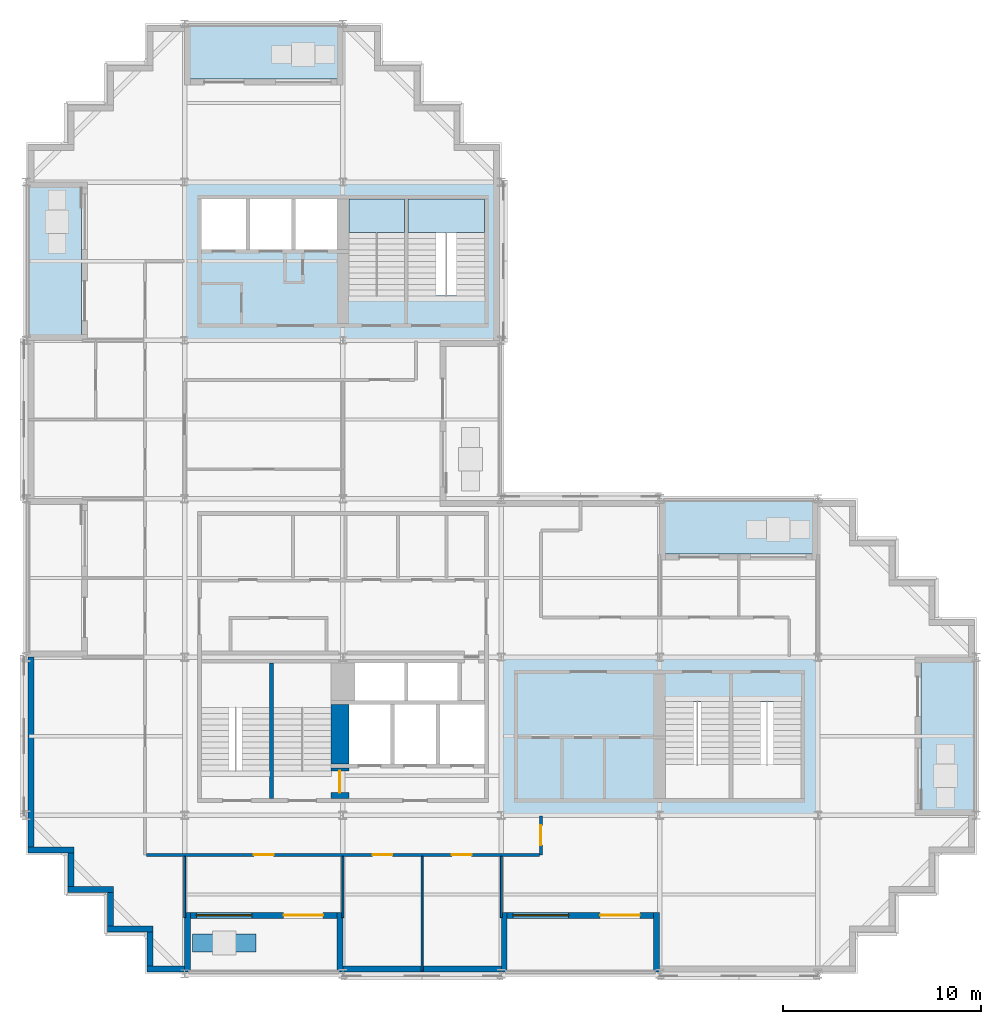
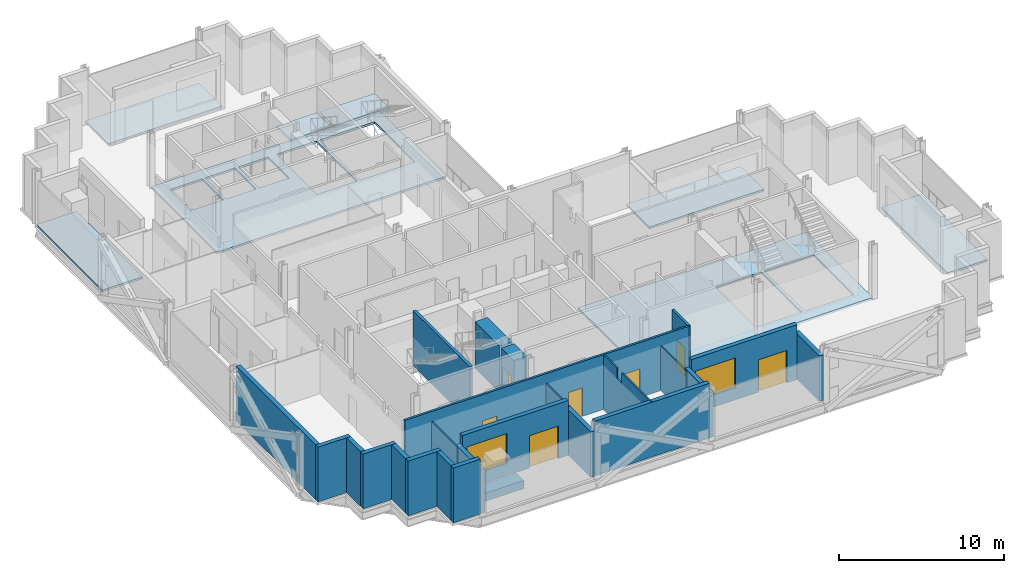
# One storey, part 4 of 12: 25 walls, 8 slabs, 7 doors, 2 windows, 9 openings, 2 elements without a shape of their own.
"""IFC4 building model written with IfcOpenShell, lengths in metres."""

from ifc_helpers import new_model, si_unit, direction, frame, frame_2d, origin, place, context, subcontext, project, spatial, polyline, rectangle, outline, extrude, material, layer, layer_set, type_object, element, fill, aggregate, save


model = new_model("IFC4")

# Units and contexts
model_context = context("Model", 3, precision=1e-05, world=origin(), true_north=direction((0.0, 1.0)))
body_context = subcontext(model_context, "Body", "Model", "MODEL_VIEW")
ifc_project = project(units=[si_unit("LENGTHUNIT", "METRE"), si_unit("AREAUNIT", "SQUARE_METRE"), si_unit("VOLUMEUNIT", "CUBIC_METRE"), si_unit("PLANEANGLEUNIT", "RADIAN"), si_unit("MASSUNIT", "GRAM", prefix="KILO")], contexts=[model_context])

# Site, building, storey
site_placement = place(None, origin())
site = spatial("IfcSite", under=ifc_project, at=site_placement, CompositionType="ELEMENT")
building_placement = place(site_placement, origin())
building = spatial("IfcBuilding", under=site, at=building_placement, Name="Immortelle Media Tower", CompositionType="ELEMENT")
storey_placement = place(building_placement, frame((0.0, 0.0, 145.199951171875)))
storey = spatial("IfcBuildingStorey", under=building, at=storey_placement, Name="L29", CompositionType="ELEMENT", Elevation=145.199951171875)

# Slabs
ifc_material_1 = material(Name="Concrete C50/60 composite deck", Category="concrete")
ifc_layer_1 = layer(ifc_material_1, 0.14990234375)
ifc_layer_set_1 = layer_set([ifc_layer_1], Name="Concrete C50/60 composite deck")
slab_type_1 = type_object("IfcSlabType", Name="Balcony slab 150", PredefinedType="FLOOR", material=ifc_layer_set_1)
slab_1_placement = place(storey_placement, frame((0.0, 0.0, -0.14990234375)))
element("IfcSlab", 1, at=slab_1_placement, inside=storey, type_object=slab_type_1, Name="Balcony slab L29 E0", PredefinedType="FLOOR", context=body_context, shape_type="SweptSolid", body=[
    extrude(outline(polyline([(48.0, 8.0), (48.0, 16.0), (45.199951171875, 16.0), (45.199951171875, 8.0), (48.0, 8.0)])), origin(), (0.0, 0.0, 1.0), 0.14990234375),
])
slab_2_placement = place(storey_placement, frame((0.0, 0.0, -0.14990234375)))
element("IfcSlab", 2, at=slab_2_placement, inside=storey, type_object=slab_type_1, Name="Balcony slab L29 N0", PredefinedType="FLOOR", context=body_context, shape_type="SweptSolid", body=[
    extrude(outline(polyline([(40.0, 21.199951171875), (40.0, 24.0), (32.0, 24.0), (32.0, 21.199951171875), (40.0, 21.199951171875)])), origin(), (0.0, 0.0, 1.0), 0.14990234375),
])
slab_3_placement = place(storey_placement, frame((0.0, 0.0, -0.14990234375)))
element("IfcSlab", 3, at=slab_3_placement, inside=storey, type_object=slab_type_1, Name="Balcony slab L29 N0", PredefinedType="FLOOR", context=body_context, shape_type="SweptSolid", body=[
    extrude(outline(polyline([(16.0, 45.199951171875), (16.0, 48.0), (8.0, 48.0), (8.0, 45.199951171875), (16.0, 45.199951171875)])), origin(), (0.0, 0.0, 1.0), 0.14990234375),
])
slab_4_placement = place(storey_placement, frame((0.0, 0.0, -0.14990234375)))
element("IfcSlab", 4, at=slab_4_placement, inside=storey, type_object=slab_type_1, Name="Balcony slab L29 W0", PredefinedType="FLOOR", context=body_context, shape_type="SweptSolid", body=[
    extrude(outline(polyline([(2.800048828125, 32.0), (2.800048828125, 40.0), (0.0, 40.0), (0.0, 32.0), (2.800048828125, 32.0)])), origin(), (0.0, 0.0, 1.0), 0.14990234375),
])
ifc_material_2 = material(Name="Concrete C50/60", Category="concrete")
ifc_layer_2 = layer(ifc_material_2, 0.14990234375)
ifc_layer_set_2 = layer_set([ifc_layer_2], Name="Concrete C50/60")
slab_type_2 = type_object("IfcSlabType", Name="Core floor slab 150", PredefinedType="FLOOR", material=ifc_layer_set_2)
slab_5_placement = place(storey_placement, frame((0.0, 0.0, -0.14990234375)))
element("IfcSlab", 5, at=slab_5_placement, inside=storey, type_object=slab_type_2, Name="Core floor SE", PredefinedType="FLOOR", context=body_context, shape_type="SweptSolid", body=[
    extrude(outline(polyline([(24.0, 8.0), (40.0, 8.0), (40.0, 16.0), (24.0, 16.0), (24.0, 8.0)]), holes=[polyline([(32.300048828125, 8.85009765625), (35.5, 8.85009765625), (35.5, 13.72998046875), (32.300048828125, 13.72998046875), (32.300048828125, 8.85009765625)]), polyline([(35.699951171875, 8.85009765625), (39.14990234375, 8.85009765625), (39.14990234375, 13.72998046875), (35.699951171875, 13.72998046875), (35.699951171875, 8.85009765625)])]), origin(), (0.0, 0.0, 1.0), 0.14990234375),
])
slab_6_placement = place(storey_placement, frame((0.0, 0.0, -0.14990234375)))
element("IfcSlab", 6, at=slab_6_placement, inside=storey, type_object=slab_type_2, Name="Core floor NW", PredefinedType="FLOOR", context=body_context, shape_type="SweptSolid", body=[
    extrude(outline(polyline([(8.0, 32.0), (24.0, 32.0), (24.0, 40.0), (8.0, 40.0), (8.0, 32.0)]), holes=[polyline([(8.85009765625, 36.60009765625), (11.10009765625, 36.60009765625), (11.10009765625, 39.14990234375), (8.85009765625, 39.14990234375), (8.85009765625, 36.60009765625)]), polyline([(11.300048828125, 36.60009765625), (13.39990234375, 36.60009765625), (13.39990234375, 39.14990234375), (11.300048828125, 39.14990234375), (11.300048828125, 36.60009765625)]), polyline([(13.60009765625, 36.60009765625), (15.699951171875, 36.60009765625), (15.699951171875, 39.14990234375), (13.60009765625, 39.14990234375), (13.60009765625, 36.60009765625)]), polyline([(16.300048828125, 34.27001953125), (19.10009765625, 34.27001953125), (19.10009765625, 39.14990234375), (16.300048828125, 39.14990234375), (16.300048828125, 34.27001953125)]), polyline([(19.300048828125, 34.27001953125), (23.14990234375, 34.27001953125), (23.14990234375, 39.14990234375), (19.300048828125, 39.14990234375), (19.300048828125, 34.27001953125)])]), origin(), (0.0, 0.0, 1.0), 0.14990234375),
])

# Stair, slab
ifc_material_3 = material(Name="Steel ASTM A992 Gr 50", Category="steel")
stair_type = type_object("IfcStairType", Name="Stair with flights", PredefinedType="DOUBLE_RETURN_STAIR", material=ifc_material_3)
stair_1_placement = place(storey_placement, origin())
stair_1 = element("IfcStair", 7, at=stair_1_placement, inside=storey, type_object=stair_type, Name="Exit stair NW1", PredefinedType="DOUBLE_RETURN_STAIR")
ifc_material_4 = material(Name="Steel ASTM A572 Gr 50", Category="steel")
ifc_layer_3 = layer(ifc_material_4, 0.199951171875)
ifc_layer_set_3 = layer_set([ifc_layer_3], Name="Steel ASTM A572 Gr 50")
slab_type_3 = type_object("IfcSlabType", Name="Stair landing 200", PredefinedType="LANDING", material=ifc_layer_set_3)
slab_7_placement = place(storey_placement, frame((0.0, 0.0, 1.900146484375)))
slab_7 = element("IfcSlab", 8, at=slab_7_placement, type_object=slab_type_3, Name="ST NW1 landing 1", PredefinedType="LANDING", context=body_context, shape_type="SweptSolid", body=[
    extrude(outline(polyline([(16.300048828125, 37.43994140625), (19.10009765625, 37.43994140625), (19.10009765625, 39.14990234375), (16.300048828125, 39.14990234375), (16.300048828125, 37.43994140625)])), origin(), (0.0, 0.0, 1.0), 0.199951171875),
])
aggregate(stair_1, [slab_7])

stair_2_placement = place(storey_placement, origin())
stair_2 = element("IfcStair", 9, at=stair_2_placement, inside=storey, type_object=stair_type, Name="Exit stair NW2", PredefinedType="DOUBLE_RETURN_STAIR")
slab_8_placement = place(storey_placement, frame((0.0, 0.0, 1.900146484375)))
slab_8 = element("IfcSlab", 10, at=slab_8_placement, type_object=slab_type_3, Name="ST NW2 landing 1", PredefinedType="LANDING", context=body_context, shape_type="SweptSolid", body=[
    extrude(outline(polyline([(19.300048828125, 37.43994140625), (23.14990234375, 37.43994140625), (23.14990234375, 39.14990234375), (19.300048828125, 39.14990234375), (19.300048828125, 37.43994140625)])), origin(), (0.0, 0.0, 1.0), 0.199951171875),
])
aggregate(stair_2, [slab_8])

# Wall, openings, doors
ifc_material_5 = material(Name="Fire-rated gypsum board", Category="gypsum")
ifc_layer_4 = layer(ifc_material_5, 0.012451171875)
ifc_material_6 = material(Name="Steel ASTM A653 SS Gr 50 stud frame with mineral wool", Category="steel")
ifc_layer_5 = layer(ifc_material_6, 0.125)
ifc_layer_6 = layer(ifc_material_5, 0.012451171875)
ifc_layer_set_4 = layer_set([ifc_layer_4, ifc_layer_5, ifc_layer_6], Name="Steel ASTM A653 SS Gr 50 stud frame with mineral wool")
wall_type_1 = type_object("IfcWallType", Name="Corridor wall 150", PredefinedType="PARTITIONING", material=ifc_layer_set_4)
wall_1_placement = place(storey_placement, frame((6.074951171875, 6.0, 0.0), z_axis=(0.0, 0.0, 1.0), x_axis=(1.0, 0.0, 0.0)))
wall_1 = element("IfcWall", 11, at=wall_1_placement, inside=storey, type_object=wall_type_1, Name="Partition L29-005", PredefinedType="PARTITIONING", context=body_context, shape_type="SweptSolid", body=[
    extrude(rectangle(XDim=19.85009765625, YDim=0.14990234375, at=frame_2d((9.925048828125, 0.0))), origin(), (0.0, 0.0, 1.0), 4.050048828125),
])
opening_1_placement = place(wall_1_placement, frame((12.425048828125, 0.0, 0.0), z_axis=(0.0, 0.0, 1.0), x_axis=(-1.0, 0.0, 0.0)))
opening_1 = element("IfcOpeningElement", 12, at=opening_1_placement, cuts=wall_1, Name="Opening C3-F001", PredefinedType="OPENING", context=body_context, shape_type="SweptSolid", body=[
    extrude(rectangle(XDim=1.0, YDim=2.10009765625, at=frame_2d((0.5, 1.050048828125))), frame((0.0, 0.0849609375, 0.0), z_axis=(0.0, -1.0, 0.0), x_axis=(1.0, 0.0, 0.0)), (0.0, 0.0, 1.0), 0.169921875),
])
opening_2_placement = place(wall_1_placement, frame((16.425048828125, 0.0, 0.0), z_axis=(0.0, 0.0, 1.0), x_axis=(-1.0, 0.0, 0.0)))
opening_2 = element("IfcOpeningElement", 13, at=opening_2_placement, cuts=wall_1, Name="Opening C3-F002", PredefinedType="OPENING", context=body_context, shape_type="SweptSolid", body=[
    extrude(rectangle(XDim=1.0, YDim=2.10009765625, at=frame_2d((0.5, 1.050048828125))), frame((0.0, 0.0849609375, 0.0), z_axis=(0.0, -1.0, 0.0), x_axis=(1.0, 0.0, 0.0)), (0.0, 0.0, 1.0), 0.169921875),
])
opening_3_placement = place(wall_1_placement, frame((6.425048828125, 0.0, 0.0), z_axis=(0.0, 0.0, 1.0), x_axis=(-1.0, 0.0, 0.0)))
opening_3 = element("IfcOpeningElement", 14, at=opening_3_placement, cuts=wall_1, Name="Opening C3-F003", PredefinedType="OPENING", context=body_context, shape_type="SweptSolid", body=[
    extrude(rectangle(XDim=1.0, YDim=2.10009765625, at=frame_2d((0.5, 1.050048828125))), frame((0.0, 0.0849609375, 0.0), z_axis=(0.0, -1.0, 0.0), x_axis=(1.0, 0.0, 0.0)), (0.0, 0.0, 1.0), 0.169921875),
])
ifc_material_7 = material(Name="Timber veneered door leaf, galvanised steel frame ASTM A653", Category="steel")
door_type_1 = type_object("IfcDoorType", Name="Room door 1000 x 2100", OperationType="NOTDEFINED", PredefinedType="DOOR", material=ifc_material_7)
door_1_placement = place(opening_1_placement, origin())
door_1 = element("IfcDoor", 15, at=door_1_placement, inside=storey, type_object=door_type_1, Name="Door C3-F001", OperationType="SINGLE_SWING_RIGHT", OverallHeight=2.10009765625, OverallWidth=1.0, PredefinedType="DOOR", context=body_context, shape_type="SweptSolid", body=[
    extrude(rectangle(XDim=1.0, YDim=2.10009765625, at=frame_2d((0.5, 1.050048828125))), frame((0.0, 0.02490234375, 0.0), z_axis=(0.0, -1.0, 0.0), x_axis=(1.0, 0.0, 0.0)), (0.0, 0.0, 1.0), 0.050048828125),
])
fill(opening_1, door_1)
door_2_placement = place(opening_2_placement, origin())
door_2 = element("IfcDoor", 16, at=door_2_placement, inside=storey, type_object=door_type_1, Name="Door C3-F002", OperationType="SINGLE_SWING_RIGHT", OverallHeight=2.10009765625, OverallWidth=1.0, PredefinedType="DOOR", context=body_context, shape_type="SweptSolid", body=[
    extrude(rectangle(XDim=1.0, YDim=2.10009765625, at=frame_2d((0.5, 1.050048828125))), frame((0.0, 0.02490234375, 0.0), z_axis=(0.0, -1.0, 0.0), x_axis=(1.0, 0.0, 0.0)), (0.0, 0.0, 1.0), 0.050048828125),
])
fill(opening_2, door_2)
door_3_placement = place(opening_3_placement, origin())
door_3 = element("IfcDoor", 17, at=door_3_placement, inside=storey, type_object=door_type_1, Name="Door C3-F003", OperationType="SINGLE_SWING_RIGHT", OverallHeight=2.10009765625, OverallWidth=1.0, PredefinedType="DOOR", context=body_context, shape_type="SweptSolid", body=[
    extrude(rectangle(XDim=1.0, YDim=2.10009765625, at=frame_2d((0.5, 1.050048828125))), frame((0.0, 0.02490234375, 0.0), z_axis=(0.0, -1.0, 0.0), x_axis=(1.0, 0.0, 0.0)), (0.0, 0.0, 1.0), 0.050048828125),
])
fill(opening_3, door_3)

# Wall, opening, door
wall_2_placement = place(storey_placement, frame((26.0, 6.0, 0.0), z_axis=(0.0, 0.0, 1.0), x_axis=(0.0, 1.0, 0.0)))
wall_2 = element("IfcWall", 18, at=wall_2_placement, inside=storey, type_object=wall_type_1, Name="Partition L29-007", PredefinedType="PARTITIONING", context=body_context, shape_type="SweptSolid", body=[
    extrude(rectangle(XDim=1.969970703125, YDim=0.14990234375, at=frame_2d((0.98486328125, 0.0))), origin(), (0.0, 0.0, 1.0), 4.050048828125),
])
opening_4_placement = place(wall_2_placement, frame((1.5, 0.0, 0.0), z_axis=(0.0, 0.0, 1.0), x_axis=(-1.0, 0.0, 0.0)))
opening_4 = element("IfcOpeningElement", 19, at=opening_4_placement, cuts=wall_2, Name="Opening C3-F004", PredefinedType="OPENING", context=body_context, shape_type="SweptSolid", body=[
    extrude(rectangle(XDim=1.0, YDim=2.10009765625, at=frame_2d((0.5, 1.050048828125))), frame((0.0, 0.0849609375, 0.0), z_axis=(0.0, -1.0, 0.0), x_axis=(1.0, 0.0, 0.0)), (0.0, 0.0, 1.0), 0.169921875),
])
door_4_placement = place(opening_4_placement, origin())
door_4 = element("IfcDoor", 20, at=door_4_placement, inside=storey, type_object=door_type_1, Name="Door C3-F004", OperationType="SINGLE_SWING_LEFT", OverallHeight=2.10009765625, OverallWidth=1.0, PredefinedType="DOOR", context=body_context, shape_type="SweptSolid", body=[
    extrude(rectangle(XDim=1.0, YDim=2.10009765625, at=frame_2d((0.5, 1.050048828125))), frame((0.0, 0.02490234375, 0.0), z_axis=(0.0, -1.0, 0.0), x_axis=(1.0, 0.0, 0.0)), (0.0, 0.0, 1.0), 0.050048828125),
])
fill(opening_4, door_4)

# Walls
ifc_material_8 = material(Name="Pale aluminium cladding panel", Category="aluminium")
ifc_layer_7 = layer(ifc_material_8, 0.030029296875)
ifc_layer_8 = layer(ifc_material_6, 0.257568359375)
ifc_material_9 = material(Name="Moisture-resistant gypsum board", Category="gypsum")
ifc_layer_9 = layer(ifc_material_9, 0.012451171875)
ifc_layer_set_5 = layer_set([ifc_layer_7, ifc_layer_8, ifc_layer_9], Name="Steel ASTM A653 SS Gr 50 stud frame with mineral wool")
wall_type_2 = type_object("IfcWallType", Name="Facade wall 300", PredefinedType="SOLIDWALL", material=ifc_layer_set_5)
wall_3_placement = place(storey_placement, frame((0.10009765625, 6.25, 0.0), z_axis=(0.0, 0.0, 1.0), x_axis=(1.0, 0.0, 0.0)))
element("IfcWall", 21, at=wall_3_placement, inside=storey, type_object=wall_type_2, Name="Facade wall L29 S0", PredefinedType="SOLIDWALL", context=body_context, shape_type="SweptSolid", body=[
    extrude(rectangle(XDim=2.2998046875, YDim=0.300048828125, at=frame_2d((1.14990234375, 0.0))), origin(), (0.0, 0.0, 1.0), 4.050048828125),
])
wall_4_placement = place(storey_placement, frame((2.25, 6.10009765625, 0.0), z_axis=(0.0, 0.0, 1.0), x_axis=(0.0, -1.0, 0.0)))
element("IfcWall", 22, at=wall_4_placement, inside=storey, type_object=wall_type_2, Name="Facade wall L29 W1", PredefinedType="SOLIDWALL", context=body_context, shape_type="SweptSolid", body=[
    extrude(rectangle(XDim=1.7001953125, YDim=0.300048828125, at=frame_2d((0.85009765625, 0.0))), origin(), (0.0, 0.0, 1.0), 4.050048828125),
])
wall_5_placement = place(storey_placement, frame((2.10009765625, 4.25, 0.0), z_axis=(0.0, 0.0, 1.0), x_axis=(1.0, 0.0, 0.0)))
element("IfcWall", 23, at=wall_5_placement, inside=storey, type_object=wall_type_2, Name="Facade wall L29 S2", PredefinedType="SOLIDWALL", context=body_context, shape_type="SweptSolid", body=[
    extrude(rectangle(XDim=2.2998046875, YDim=0.300048828125, at=frame_2d((1.14990234375, 0.0))), origin(), (0.0, 0.0, 1.0), 4.050048828125),
])
wall_6_placement = place(storey_placement, frame((4.25, 4.10009765625, 0.0), z_axis=(0.0, 0.0, 1.0), x_axis=(0.0, -1.0, 0.0)))
element("IfcWall", 24, at=wall_6_placement, inside=storey, type_object=wall_type_2, Name="Facade wall L29 W3", PredefinedType="SOLIDWALL", context=body_context, shape_type="SweptSolid", body=[
    extrude(rectangle(XDim=1.7001953125, YDim=0.300048828125, at=frame_2d((0.85009765625, 0.0))), origin(), (0.0, 0.0, 1.0), 4.050048828125),
])
wall_7_placement = place(storey_placement, frame((4.10009765625, 2.25, 0.0), z_axis=(0.0, 0.0, 1.0), x_axis=(1.0, 0.0, 0.0)))
element("IfcWall", 25, at=wall_7_placement, inside=storey, type_object=wall_type_2, Name="Facade wall L29 S4", PredefinedType="SOLIDWALL", context=body_context, shape_type="SweptSolid", body=[
    extrude(rectangle(XDim=2.2998046875, YDim=0.300048828125, at=frame_2d((1.14990234375, 0.0))), origin(), (0.0, 0.0, 1.0), 4.050048828125),
])
wall_8_placement = place(storey_placement, frame((6.25, 2.10009765625, 0.0), z_axis=(0.0, 0.0, 1.0), x_axis=(0.0, -1.0, 0.0)))
element("IfcWall", 26, at=wall_8_placement, inside=storey, type_object=wall_type_2, Name="Facade wall L29 W5", PredefinedType="SOLIDWALL", context=body_context, shape_type="SweptSolid", body=[
    extrude(rectangle(XDim=1.7001953125, YDim=0.300048828125, at=frame_2d((0.85009765625, 0.0))), origin(), (0.0, 0.0, 1.0), 4.050048828125),
])
wall_9_placement = place(storey_placement, frame((6.10009765625, 0.25, 0.0), z_axis=(0.0, 0.0, 1.0), x_axis=(1.0, 0.0, 0.0)))
element("IfcWall", 27, at=wall_9_placement, inside=storey, type_object=wall_type_2, Name="Facade wall L29 S6", PredefinedType="SOLIDWALL", context=body_context, shape_type="SweptSolid", body=[
    extrude(rectangle(XDim=1.89990234375, YDim=0.300048828125, at=frame_2d((0.949951171875, 0.0))), origin(), (0.0, 0.0, 1.0), 4.050048828125),
])

# Wall, openings, door, window
wall_10_placement = place(storey_placement, frame((8.300048828125, 2.949951171875, 0.0), z_axis=(0.0, 0.0, 1.0), x_axis=(1.0, 0.0, 0.0)))
wall_10 = element("IfcWall", 28, at=wall_10_placement, inside=storey, type_object=wall_type_2, Name="Loggia wall L29 S6", PredefinedType="SOLIDWALL", context=body_context, shape_type="SweptSolid", body=[
    extrude(rectangle(XDim=7.39990234375, YDim=0.300048828125, at=frame_2d((3.699951171875, 0.0))), origin(), (0.0, 0.0, 1.0), 4.050048828125),
])
opening_5_placement = place(wall_10_placement, frame((0.300048828125, 0.0, 0.89990234375)))
opening_5 = element("IfcOpeningElement", 29, at=opening_5_placement, cuts=wall_10, Name="Opening W1", PredefinedType="OPENING", context=body_context, shape_type="SweptSolid", body=[
    extrude(rectangle(XDim=2.800048828125, YDim=2.199951171875, at=frame_2d((1.39990234375, 1.10009765625))), frame((0.0, 0.159912109375, 0.0), z_axis=(0.0, -1.0, 0.0), x_axis=(1.0, 0.0, 0.0)), (0.0, 0.0, 1.0), 0.320068359375),
])
opening_6_placement = place(wall_10_placement, frame((4.699951171875, 0.0, 0.0)))
opening_6 = element("IfcOpeningElement", 30, at=opening_6_placement, cuts=wall_10, Name="Opening C3-E001", PredefinedType="OPENING", context=body_context, shape_type="SweptSolid", body=[
    extrude(rectangle(XDim=2.0, YDim=2.39990234375, at=frame_2d((1.0, 1.199951171875))), frame((0.0, 0.159912109375, 0.0), z_axis=(0.0, -1.0, 0.0), x_axis=(1.0, 0.0, 0.0)), (0.0, 0.0, 1.0), 0.320068359375),
])
ifc_material_10 = material(Name="Aluminium frame, glazed leaves", Category="aluminium")
door_type_2 = type_object("IfcDoorType", Name="Loggia door 2000 x 2400", OperationType="DOUBLE_DOOR_SINGLE_SWING", PredefinedType="DOOR", material=ifc_material_10)
door_5_placement = place(opening_6_placement, origin())
door_5 = element("IfcDoor", 31, at=door_5_placement, inside=storey, type_object=door_type_2, Name="Door C3-E001", OperationType="DOUBLE_DOOR_SINGLE_SWING", OverallHeight=2.39990234375, OverallWidth=2.0, PredefinedType="DOOR", context=body_context, shape_type="SweptSolid", body=[
    extrude(rectangle(XDim=2.0, YDim=2.39990234375, at=frame_2d((1.0, 1.199951171875))), frame((0.0, 0.02490234375, 0.0), z_axis=(0.0, -1.0, 0.0), x_axis=(1.0, 0.0, 0.0)), (0.0, 0.0, 1.0), 0.050048828125),
])
fill(opening_6, door_5)
ifc_material_11 = material(Name="Aluminium frame", Category="aluminium")
window_type = type_object("IfcWindowType", Name="Window 2800 x 2200", PartitioningType="SINGLE_PANEL", PredefinedType="WINDOW", material=ifc_material_11)
window_1_placement = place(opening_5_placement, origin())
window_1 = element("IfcWindow", 32, at=window_1_placement, inside=storey, type_object=window_type, Name="Window L29 L29-R6-B0", OverallHeight=2.199951171875, OverallWidth=2.800048828125, PartitioningType="SINGLE_PANEL", PredefinedType="WINDOW", context=body_context, shape_type="SweptSolid", body=[
    extrude(rectangle(XDim=2.800048828125, YDim=2.199951171875, at=frame_2d((1.39990234375, 1.10009765625))), frame((0.0, 0.030029296875, 0.0), z_axis=(0.0, -1.0, 0.0), x_axis=(1.0, 0.0, 0.0)), (0.0, 0.0, 1.0), 0.06005859375),
])
fill(opening_5, window_1)

# Walls
wall_11_placement = place(storey_placement, frame((8.14990234375, 0.10009765625, 0.0), z_axis=(0.0, 0.0, 1.0), x_axis=(0.0, 1.0, 0.0)))
element("IfcWall", 33, at=wall_11_placement, inside=storey, type_object=wall_type_2, Name="Loggia cheek wall L29 S", PredefinedType="SOLIDWALL", context=body_context, shape_type="SweptSolid", body=[
    extrude(rectangle(XDim=3.0, YDim=0.300048828125, at=frame_2d((1.5, 0.0))), origin(), (0.0, 0.0, 1.0), 3.287109375),
])
wall_12_placement = place(storey_placement, frame((15.85009765625, 0.10009765625, 0.0), z_axis=(0.0, 0.0, 1.0), x_axis=(0.0, 1.0, 0.0)))
element("IfcWall", 34, at=wall_12_placement, inside=storey, type_object=wall_type_2, Name="Loggia cheek wall L29 S", PredefinedType="SOLIDWALL", context=body_context, shape_type="SweptSolid", body=[
    extrude(rectangle(XDim=3.0, YDim=0.300048828125, at=frame_2d((1.5, 0.0))), origin(), (0.0, 0.0, 1.0), 3.35595703125),
])
wall_13_placement = place(storey_placement, frame((16.0, 0.25, 0.0), z_axis=(0.0, 0.0, 1.0), x_axis=(1.0, 0.0, 0.0)))
element("IfcWall", 35, at=wall_13_placement, inside=storey, type_object=wall_type_2, Name="Facade wall L29 S6", PredefinedType="SOLIDWALL", context=body_context, shape_type="SweptSolid", body=[
    extrude(rectangle(XDim=8.0, YDim=0.300048828125, at=frame_2d((4.0, 0.0))), origin(), (0.0, 0.0, 1.0), 4.050048828125),
])

# Wall, openings, door, window
wall_14_placement = place(storey_placement, frame((24.300048828125, 2.949951171875, 0.0), z_axis=(0.0, 0.0, 1.0), x_axis=(1.0, 0.0, 0.0)))
wall_14 = element("IfcWall", 36, at=wall_14_placement, inside=storey, type_object=wall_type_2, Name="Loggia wall L29 S6", PredefinedType="SOLIDWALL", context=body_context, shape_type="SweptSolid", body=[
    extrude(rectangle(XDim=7.39990234375, YDim=0.300048828125, at=frame_2d((3.699951171875, 0.0))), origin(), (0.0, 0.0, 1.0), 4.050048828125),
])
opening_7_placement = place(wall_14_placement, frame((0.300048828125, 0.0, 0.89990234375)))
opening_7 = element("IfcOpeningElement", 37, at=opening_7_placement, cuts=wall_14, Name="Opening W1", PredefinedType="OPENING", context=body_context, shape_type="SweptSolid", body=[
    extrude(rectangle(XDim=2.800048828125, YDim=2.199951171875, at=frame_2d((1.39990234375, 1.10009765625))), frame((0.0, 0.159912109375, 0.0), z_axis=(0.0, -1.0, 0.0), x_axis=(1.0, 0.0, 0.0)), (0.0, 0.0, 1.0), 0.320068359375),
])
opening_8_placement = place(wall_14_placement, frame((4.699951171875, 0.0, 0.0)))
opening_8 = element("IfcOpeningElement", 38, at=opening_8_placement, cuts=wall_14, Name="Opening C3-E002", PredefinedType="OPENING", context=body_context, shape_type="SweptSolid", body=[
    extrude(rectangle(XDim=2.0, YDim=2.39990234375, at=frame_2d((1.0, 1.199951171875))), frame((0.0, 0.159912109375, 0.0), z_axis=(0.0, -1.0, 0.0), x_axis=(1.0, 0.0, 0.0)), (0.0, 0.0, 1.0), 0.320068359375),
])
door_6_placement = place(opening_8_placement, origin())
door_6 = element("IfcDoor", 39, at=door_6_placement, inside=storey, type_object=door_type_2, Name="Door C3-E002", OperationType="DOUBLE_DOOR_SINGLE_SWING", OverallHeight=2.39990234375, OverallWidth=2.0, PredefinedType="DOOR", context=body_context, shape_type="SweptSolid", body=[
    extrude(rectangle(XDim=2.0, YDim=2.39990234375, at=frame_2d((1.0, 1.199951171875))), frame((0.0, 0.02490234375, 0.0), z_axis=(0.0, -1.0, 0.0), x_axis=(1.0, 0.0, 0.0)), (0.0, 0.0, 1.0), 0.050048828125),
])
fill(opening_8, door_6)
window_2_placement = place(opening_7_placement, origin())
window_2 = element("IfcWindow", 40, at=window_2_placement, inside=storey, type_object=window_type, Name="Window L29 L29-R6-B2", OverallHeight=2.199951171875, OverallWidth=2.800048828125, PartitioningType="SINGLE_PANEL", PredefinedType="WINDOW", context=body_context, shape_type="SweptSolid", body=[
    extrude(rectangle(XDim=2.800048828125, YDim=2.199951171875, at=frame_2d((1.39990234375, 1.10009765625))), frame((0.0, 0.030029296875, 0.0), z_axis=(0.0, -1.0, 0.0), x_axis=(1.0, 0.0, 0.0)), (0.0, 0.0, 1.0), 0.06005859375),
])
fill(opening_7, window_2)

# Walls
for number, where, z_axis, x_axis, name in (
    (41, (24.14990234375, 0.10009765625, 0.0), (0.0, 0.0, 1.0), (0.0, 1.0, 0.0), "Loggia cheek wall L29 S"),
    (42, (31.85009765625, 0.10009765625, 0.0), (0.0, 0.0, 1.0), (0.0, 1.0, 0.0), "Loggia cheek wall L29 S"),
):
    element("IfcWall", number, at=place(storey_placement, frame(where, z_axis=z_axis, x_axis=x_axis)), inside=storey, type_object=wall_type_2, Name=name, PredefinedType="SOLIDWALL", context=body_context, shape_type="SweptSolid", body=[
        extrude(rectangle(XDim=3.0, YDim=0.300048828125, at=frame_2d((1.5, 0.0))), origin(), (0.0, 0.0, 1.0), 3.35595703125),
    ])
wall_15_placement = place(storey_placement, frame((0.25, 16.0, 0.0), z_axis=(0.0, 0.0, 1.0), x_axis=(0.0, -1.0, 0.0)))
element("IfcWall", 43, at=wall_15_placement, inside=storey, type_object=wall_type_2, Name="Facade wall L29 W35", PredefinedType="SOLIDWALL", context=body_context, shape_type="SweptSolid", body=[
    extrude(rectangle(XDim=9.60009765625, YDim=0.300048828125, at=frame_2d((4.800048828125, 0.0))), origin(), (0.0, 0.0, 1.0), 4.050048828125),
])
ifc_material_12 = material(Name="Gypsum board", Category="gypsum")
ifc_layer_10 = layer(ifc_material_12, 0.012451171875)
ifc_layer_11 = layer(ifc_material_6, 0.074951171875)
ifc_layer_12 = layer(ifc_material_12, 0.012451171875)
ifc_layer_set_6 = layer_set([ifc_layer_10, ifc_layer_11, ifc_layer_12], Name="Steel ASTM A653 SS Gr 50 stud frame with mineral wool")
wall_type_3 = type_object("IfcWallType", Name="Partition 100", PredefinedType="PARTITIONING", material=ifc_layer_set_6)
wall_16_placement = place(storey_placement, frame((20.0, 0.1298828125, 0.0), z_axis=(0.0, 0.0, 1.0), x_axis=(0.0, 1.0, 0.0)))
element("IfcWall", 44, at=wall_16_placement, inside=storey, type_object=wall_type_3, Name="Partition L29-001", PredefinedType="PARTITIONING", context=body_context, shape_type="SweptSolid", body=[
    extrude(outline(polyline([(0.0, 0.0), (5.795166015625, 0.0), (5.794921875, 4.050048828125), (4.169921875, 4.050048828125), (4.16796875, 3.2880859375), (3.572021484375, 3.2880859375), (3.570068359375, 4.050048828125), (0.0, 4.050048828125), (0.0, 0.0)])), frame((0.0, 0.050048828125, 0.0), z_axis=(0.0, -1.0, 0.0), x_axis=(1.0, 0.0, 0.0)), (0.0, 0.0, 1.0), 0.10009765625),
])
for number, where, z_axis, x_axis, name in (
    (45, (8.0, 2.830078125, 0.0), (0.0, 0.0, 1.0), (0.0, 1.0, 0.0), "Partition L29-002"),
    (46, (16.0, 2.830078125, 0.0), (0.0, 0.0, 1.0), (0.0, 1.0, 0.0), "Partition L29-003"),
    (47, (24.0, 2.830078125, 0.0), (0.0, 0.0, 1.0), (0.0, 1.0, 0.0), "Partition L29-004"),
):
    element("IfcWall", number, at=place(storey_placement, frame(where, z_axis=z_axis, x_axis=x_axis)), inside=storey, type_object=wall_type_3, Name=name, PredefinedType="PARTITIONING", context=body_context, shape_type="SweptSolid", body=[
        extrude(rectangle(XDim=3.094970703125, YDim=0.10009765625, at=frame_2d((1.54736328125, 0.0))), origin(), (0.0, 0.0, 1.0), 3.2880859375),
    ])
ifc_layer_13 = layer(ifc_material_8, 0.0029296875)
ifc_material_13 = material(Name="Steel ASTM A572 Gr 50 planter shell", Category="steel")
ifc_layer_14 = layer(ifc_material_13, 0.011962890625)
ifc_material_14 = material(Name="Planting substrate", Category="soil")
ifc_layer_15 = layer(ifc_material_14, 0.873046875)
ifc_layer_16 = layer(ifc_material_13, 0.011962890625)
ifc_layer_set_7 = layer_set([ifc_layer_13, ifc_layer_14, ifc_layer_15, ifc_layer_16], Name="Steel ASTM A572 Gr 50 planter shell")
wall_type_4 = type_object("IfcWallType", Name="Planter wall 900", PredefinedType="SOLIDWALL", material=ifc_layer_set_7)
wall_17_placement = place(storey_placement, frame((8.39990234375, 1.550048828125, 0.0), z_axis=(0.0, 0.0, 1.0), x_axis=(1.0, 0.0, 0.0)))
element("IfcWall", 48, at=wall_17_placement, inside=storey, type_object=wall_type_4, Name="Planter L29 S0", PredefinedType="SOLIDWALL", context=body_context, shape_type="SweptSolid", body=[
    extrude(rectangle(XDim=3.2001953125, YDim=0.89990234375, at=frame_2d((1.60009765625, 0.0))), origin(), (0.0, 0.0, 1.0), 0.60009765625),
])
ifc_material_15 = material(Name="Concrete C60", Category="concrete")
ifc_layer_17 = layer(ifc_material_15, 0.199951171875)
ifc_layer_set_8 = layer_set([ifc_layer_17], Name="Concrete C60")
wall_type_5 = type_object("IfcWallType", Name="Stair shaft wall 200", PredefinedType="PARTITIONING", material=ifc_layer_set_8)
wall_18_placement = place(storey_placement, frame((12.39990234375, 8.85009765625, 0.0), z_axis=(0.0, 0.0, 1.0), x_axis=(0.0, 1.0, 0.0)))
element("IfcWall", 49, at=wall_18_placement, inside=storey, type_object=wall_type_5, Name="Stair shaft wall SW", PredefinedType="PARTITIONING", context=body_context, shape_type="SweptSolid", body=[
    extrude(rectangle(XDim=6.849853515625, YDim=0.199951171875, at=frame_2d((3.4248046875, 0.0))), origin(), (0.0, 0.0, 1.0), 4.050048828125),
])

# Wall, opening, door
ifc_layer_18 = layer(ifc_material_15, 0.89990234375)
ifc_layer_set_9 = layer_set([ifc_layer_18], Name="Concrete C60")
wall_type_6 = type_object("IfcWallType", Name="Stair shaft wall 900", PredefinedType="PARTITIONING", material=ifc_layer_set_9)
wall_19_placement = place(storey_placement, frame((15.85009765625, 8.85009765625, 0.0), z_axis=(0.0, 0.0, 1.0), x_axis=(0.0, 1.0, 0.0)))
wall_19 = element("IfcWall", 50, at=wall_19_placement, inside=storey, type_object=wall_type_6, Name="Stair shaft wall SW", PredefinedType="PARTITIONING", context=body_context, shape_type="SweptSolid", body=[
    extrude(rectangle(XDim=1.5498046875, YDim=0.89990234375, at=frame_2d((0.77490234375, 0.0))), origin(), (0.0, 0.0, 1.0), 3.43212890625),
])
opening_9_placement = place(wall_19_placement, frame((0.300048828125, 0.0, 0.0)))
opening_9 = element("IfcOpeningElement", 51, at=opening_9_placement, cuts=wall_19, Name="Opening C3-K007", PredefinedType="OPENING", context=body_context, shape_type="SweptSolid", body=[
    extrude(rectangle(XDim=1.10009765625, YDim=2.10009765625, at=frame_2d((0.550048828125, 1.050048828125))), frame((0.0, 0.4599609375, 0.0), z_axis=(0.0, -1.0, 0.0), x_axis=(1.0, 0.0, 0.0)), (0.0, 0.0, 1.0), 0.919921875),
])
ifc_material_16 = material(Name="Galvanised steel door leaf and frame ASTM A653", Category="steel")
door_type_3 = type_object("IfcDoorType", Name="Stair lobby door 1100 x 2100", OperationType="NOTDEFINED", PredefinedType="NOTDEFINED", material=ifc_material_16)
door_7_placement = place(opening_9_placement, origin())
door_7 = element("IfcDoor", 52, at=door_7_placement, inside=storey, type_object=door_type_3, Name="Stair lobby C3-K007", OperationType="SINGLE_SWING_LEFT", OverallHeight=2.10009765625, OverallWidth=1.10009765625, PredefinedType="NOTDEFINED", context=body_context, shape_type="SweptSolid", body=[
    extrude(rectangle(XDim=1.10009765625, YDim=2.10009765625, at=frame_2d((0.550048828125, 1.050048828125))), frame((0.0, 0.02490234375, 0.0), z_axis=(0.0, -1.0, 0.0), x_axis=(1.0, 0.0, 0.0)), (0.0, 0.0, 1.0), 0.050048828125),
])
fill(opening_9, door_7)

# Wall
wall_20_placement = place(storey_placement, frame((15.85009765625, 10.60009765625, 0.0), z_axis=(0.0, 0.0, 1.0), x_axis=(0.0, 1.0, 0.0)))
element("IfcWall", 53, at=wall_20_placement, inside=storey, type_object=wall_type_6, Name="Stair shaft wall SW", PredefinedType="PARTITIONING", context=body_context, shape_type="SweptSolid", body=[
    extrude(rectangle(XDim=3.0, YDim=0.89990234375, at=frame_2d((1.5, 0.0))), origin(), (0.0, 0.0, 1.0), 3.43212890625),
])

save(model, "model.ifc")
